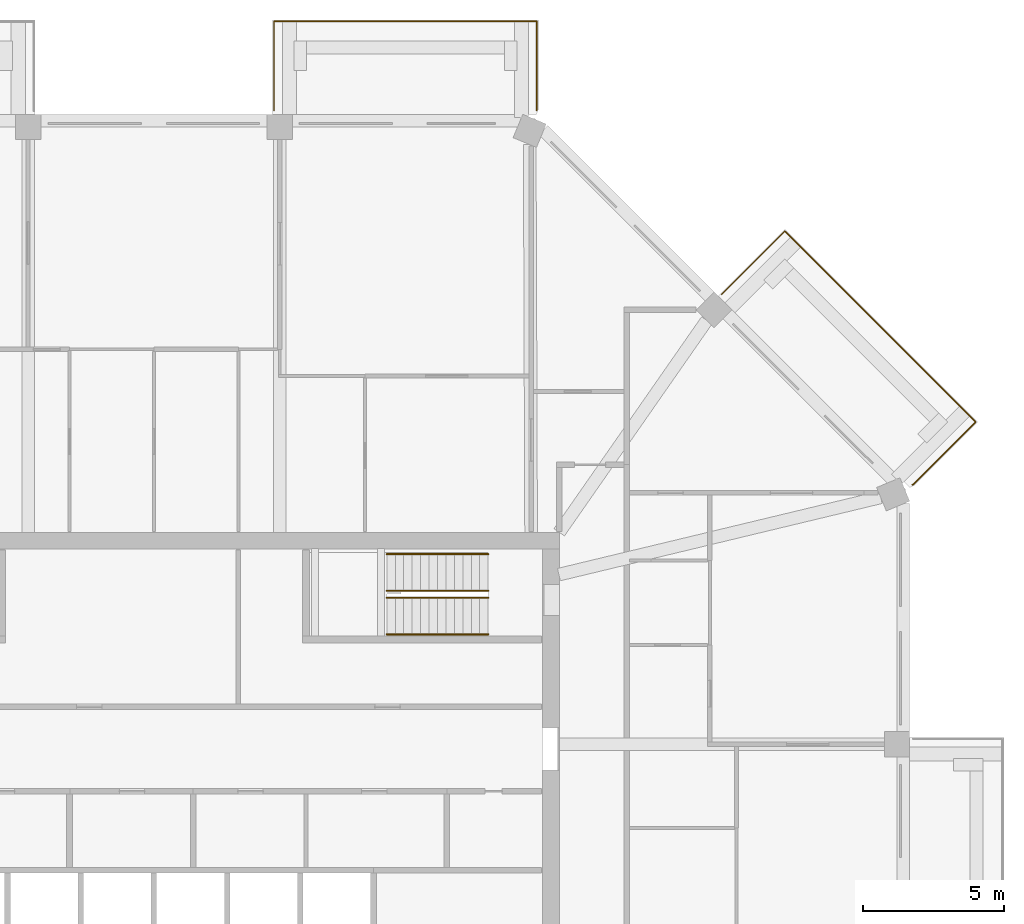
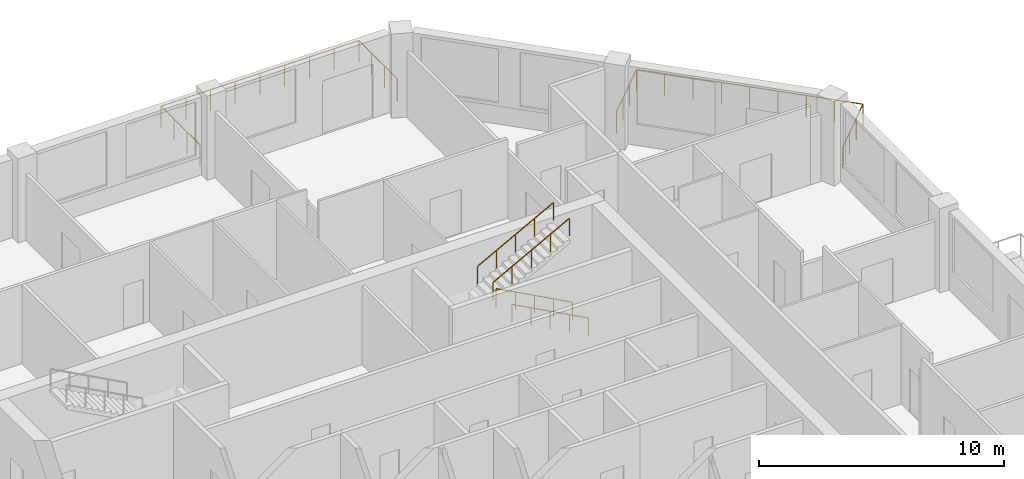
# One storey, part 12 of 12: 6 railings.
"""IFC4 building model written with IfcOpenShell, lengths in metres."""

from ifc_helpers import new_model, si_unit, direction, frame, origin, origin_2d, place, context, subcontext, project, spatial, circle, extrude, material, constituent, constituent_set, type_object, element, save


model = new_model("IFC4")

# Units and contexts
model_context = context("Model", 3, precision=1e-05, world=origin(), true_north=direction((0.0, 1.0)))
body_context = subcontext(model_context, "Body", "Model", "MODEL_VIEW")
ifc_project = project(units=[si_unit("LENGTHUNIT", "METRE"), si_unit("AREAUNIT", "SQUARE_METRE"), si_unit("VOLUMEUNIT", "CUBIC_METRE"), si_unit("PLANEANGLEUNIT", "RADIAN"), si_unit("MASSUNIT", "GRAM", prefix="KILO")], contexts=[model_context])

# Site, building, storey
site_placement = place(None, origin())
site = spatial("IfcSite", under=ifc_project, at=site_placement, CompositionType="ELEMENT")
building_placement = place(site_placement, origin())
building = spatial("IfcBuilding", under=site, at=building_placement, Name="Msitu Wima Residences", CompositionType="ELEMENT")
storey_placement = place(building_placement, frame((0.0, 0.0, 222.300048828125)))
storey = spatial("IfcBuildingStorey", under=building, at=storey_placement, Name="L51", CompositionType="ELEMENT", Elevation=222.300048828125)

# Railings
ifc_material_1 = material(Name="Steel S355", Category="steel")
ifc_constituent_1 = constituent(ifc_material_1, Name="Steel S355")
ifc_material_2 = material(Name="Weathering patina")
ifc_constituent_2 = constituent(ifc_material_2, Name="Weathering patina")
ifc_constituent_set_1 = constituent_set(constituents=[ifc_constituent_1, ifc_constituent_2], Name="Steel S355")
railing_type_1 = type_object("IfcRailingType", Name="Balcony guard GR1100", PredefinedType="GUARDRAIL", material=ifc_constituent_set_1)
railing_1_placement = place(storey_placement, frame((20.171630859375, 20.45458984375, 0.0)))
element("IfcRailing", 1, at=railing_1_placement, inside=storey, type_object=railing_type_1, Name="Balcony guard NE0 L51", PredefinedType="GUARDRAIL", context=body_context, shape_type="SweptSolid", body=[
    extrude(circle(Radius=0.02392578125, at=origin_2d()), frame((0.0, 0.0, 1.076171875), z_axis=(0.707106781187, 0.707106781187, 0.0), x_axis=(-0.707106781187, 0.707106781187, 0.0)), (0.0, 0.0, 1.0), 3.169921875),
    extrude(circle(Radius=0.02392578125, at=origin_2d()), frame((2.241455078125, 2.241455078125, 1.076171875), z_axis=(0.707106781187, -0.707106781187, 0.0), x_axis=(0.707106781187, 0.707106781187, 0.0)), (0.0, 0.0, 1.0), 9.58837890625),
    extrude(circle(Radius=0.02392578125, at=origin_2d()), frame((9.021484375, -4.53857421875, 1.076171875), z_axis=(-0.707106781187, -0.707106781187, 0.0), x_axis=(0.707106781187, -0.707106781187, 0.0)), (0.0, 0.0, 1.0), 3.136474609375),
    extrude(circle(Radius=0.02392578125, at=origin_2d()), frame((6.8037109375, -6.75634765625, 1.076171875), z_axis=(-0.92426142649, -0.38176015442, 0.0), x_axis=(0.38176015442, -0.92426142649, 0.0)), (0.0, 0.0, 1.0), 0.036376953125),
    extrude(circle(Radius=0.02099609375, at=origin_2d()), origin(), (0.0, 0.0, 1.0), 1.052001953125),
    extrude(circle(Radius=0.02099609375, at=origin_2d()), frame((0.7470703125, 0.7470703125, 0.0)), (0.0, 0.0, 1.0), 1.052001953125),
    extrude(circle(Radius=0.02099609375, at=origin_2d()), frame((1.494384765625, 1.494384765625, 0.0)), (0.0, 0.0, 1.0), 1.052001953125),
    extrude(circle(Radius=0.02099609375, at=origin_2d()), frame((2.241455078125, 2.241455078125, 0.0)), (0.0, 0.0, 1.0), 1.052001953125),
    extrude(circle(Radius=0.02099609375, at=origin_2d()), frame((3.0888671875, 1.39404296875, 0.0)), (0.0, 0.0, 1.0), 1.052001953125),
    extrude(circle(Radius=0.02099609375, at=origin_2d()), frame((3.9365234375, 0.54638671875, 0.0)), (0.0, 0.0, 1.0), 1.052001953125),
    extrude(circle(Radius=0.02099609375, at=origin_2d()), frame((4.783935546875, -0.301025390625, 0.0)), (0.0, 0.0, 1.0), 1.052001953125),
    extrude(circle(Radius=0.02099609375, at=origin_2d()), frame((5.63134765625, -1.1484375, 0.0)), (0.0, 0.0, 1.0), 1.052001953125),
    extrude(circle(Radius=0.02099609375, at=origin_2d()), frame((6.47900390625, -1.99609375, 0.0)), (0.0, 0.0, 1.0), 1.052001953125),
    extrude(circle(Radius=0.02099609375, at=origin_2d()), frame((7.326416015625, -2.843505859375, 0.0)), (0.0, 0.0, 1.0), 1.052001953125),
    extrude(circle(Radius=0.02099609375, at=origin_2d()), frame((8.174072265625, -3.691162109375, 0.0)), (0.0, 0.0, 1.0), 1.052001953125),
    extrude(circle(Radius=0.02099609375, at=origin_2d()), frame((9.021484375, -4.53857421875, 0.0)), (0.0, 0.0, 1.0), 1.052001953125),
    extrude(circle(Radius=0.02099609375, at=origin_2d()), frame((8.2822265625, -5.27783203125, 0.0)), (0.0, 0.0, 1.0), 1.052001953125),
    extrude(circle(Radius=0.02099609375, at=origin_2d()), frame((7.54296875, -6.01708984375, 0.0)), (0.0, 0.0, 1.0), 1.052001953125),
    extrude(circle(Radius=0.02099609375, at=origin_2d()), frame((6.8037109375, -6.75634765625, 0.0)), (0.0, 0.0, 1.0), 1.052001953125),
    extrude(circle(Radius=0.02099609375, at=origin_2d()), frame((6.77001953125, -6.770263671875, 0.0)), (0.0, 0.0, 1.0), 1.052001953125),
])
railing_2_placement = place(storey_placement, frame((4.2685546875, 26.97998046875, 0.0)))
element("IfcRailing", 2, at=railing_2_placement, inside=storey, type_object=railing_type_1, Name="Balcony guard N0 L51", PredefinedType="GUARDRAIL", context=body_context, shape_type="SweptSolid", body=[
    extrude(circle(Radius=0.02392578125, at=origin_2d()), frame((0.0, 0.0, 1.076171875), z_axis=(0.0, 1.0, 0.0), x_axis=(-1.0, 0.0, 0.0)), (0.0, 0.0, 1.0), 3.169921875),
    extrude(circle(Radius=0.02392578125, at=origin_2d()), frame((0.0, 3.169921875, 1.076171875), z_axis=(1.0, 0.0, 0.0), x_axis=(0.0, 1.0, 0.0)), (0.0, 0.0, 1.0), 9.33740234375),
    extrude(circle(Radius=0.02392578125, at=origin_2d()), frame((9.33740234375, 3.169921875, 1.076171875), z_axis=(0.0, -1.0, 0.0), x_axis=(1.0, 0.0, 0.0)), (0.0, 0.0, 1.0), 3.136474609375),
    extrude(circle(Radius=0.02392578125, at=origin_2d()), frame((9.33740234375, 0.033447265625, 1.076171875), z_axis=(-0.384136806859, -0.923276184907, 0.0), x_axis=(0.923276184907, -0.384136806859, 0.0)), (0.0, 0.0, 1.0), 0.0361328125),
    extrude(circle(Radius=0.02099609375, at=origin_2d()), origin(), (0.0, 0.0, 1.0), 1.052001953125),
    extrude(circle(Radius=0.02099609375, at=origin_2d()), frame((0.0, 1.056640625, 0.0)), (0.0, 0.0, 1.0), 1.052001953125),
    extrude(circle(Radius=0.02099609375, at=origin_2d()), frame((0.0, 2.11328125, 0.0)), (0.0, 0.0, 1.0), 1.052001953125),
    extrude(circle(Radius=0.02099609375, at=origin_2d()), frame((0.0, 3.169921875, 0.0)), (0.0, 0.0, 1.0), 1.052001953125),
    extrude(circle(Radius=0.02099609375, at=origin_2d()), frame((1.167236328125, 3.169921875, 0.0)), (0.0, 0.0, 1.0), 1.052001953125),
    extrude(circle(Radius=0.02099609375, at=origin_2d()), frame((2.33447265625, 3.169921875, 0.0)), (0.0, 0.0, 1.0), 1.052001953125),
    extrude(circle(Radius=0.02099609375, at=origin_2d()), frame((3.50146484375, 3.169921875, 0.0)), (0.0, 0.0, 1.0), 1.052001953125),
    extrude(circle(Radius=0.02099609375, at=origin_2d()), frame((4.668701171875, 3.169921875, 0.0)), (0.0, 0.0, 1.0), 1.052001953125),
    extrude(circle(Radius=0.02099609375, at=origin_2d()), frame((5.8359375, 3.169921875, 0.0)), (0.0, 0.0, 1.0), 1.052001953125),
    extrude(circle(Radius=0.02099609375, at=origin_2d()), frame((7.0029296875, 3.169921875, 0.0)), (0.0, 0.0, 1.0), 1.052001953125),
    extrude(circle(Radius=0.02099609375, at=origin_2d()), frame((8.170166015625, 3.169921875, 0.0)), (0.0, 0.0, 1.0), 1.052001953125),
    extrude(circle(Radius=0.02099609375, at=origin_2d()), frame((9.33740234375, 3.169921875, 0.0)), (0.0, 0.0, 1.0), 1.052001953125),
    extrude(circle(Radius=0.02099609375, at=origin_2d()), frame((9.33740234375, 2.12451171875, 0.0)), (0.0, 0.0, 1.0), 1.052001953125),
    extrude(circle(Radius=0.02099609375, at=origin_2d()), frame((9.33740234375, 1.078857421875, 0.0)), (0.0, 0.0, 1.0), 1.052001953125),
    extrude(circle(Radius=0.02099609375, at=origin_2d()), frame((9.33740234375, 0.033447265625, 0.0)), (0.0, 0.0, 1.0), 1.052001953125),
    extrude(circle(Radius=0.02099609375, at=origin_2d()), frame((9.323486328125, 0.0, 0.0)), (0.0, 0.0, 1.0), 1.052001953125),
])
ifc_constituent_3 = constituent(ifc_material_1, Name="Steel S355")
ifc_material_3 = material(Name="Black powder coating")
ifc_constituent_4 = constituent(ifc_material_3, Name="Black powder coating")
ifc_constituent_set_2 = constituent_set(constituents=[ifc_constituent_3, ifc_constituent_4], Name="Steel S355")
railing_type_2 = type_object("IfcRailingType", Name="Stair handrail HR1", PredefinedType="HANDRAIL", material=ifc_constituent_set_2)
for number, where, name in (
    (3, (11.875, 8.375, 0.161376953125), "Stair 3 handrail"),
    (4, (11.875, 9.675048828125, 0.161376953125), "Stair 3 handrail"),
):
    element("IfcRailing", number, at=place(storey_placement, frame(where)), inside=storey, type_object=railing_type_2, Name=name, PredefinedType="HANDRAIL", context=body_context, shape_type="SweptSolid", body=[
        extrude(circle(Radius=0.02392578125, at=origin_2d()), frame((0.0, 0.0, 0.8759765625), z_axis=(-0.880474934443, 0.0, 0.474092701714), x_axis=(0.0, -1.0, 0.0)), (0.0, 0.0, 1.0), 4.0888671875),
        extrude(circle(Radius=0.02099609375, at=origin_2d()), origin(), (0.0, 0.0, 1.0), 0.851806640625),
        extrude(circle(Radius=0.02099609375, at=origin_2d()), frame((-0.89990234375, 0.0, 0.484619140625)), (0.0, 0.0, 1.0), 0.851806640625),
        extrude(circle(Radius=0.02099609375, at=origin_2d()), frame((-1.800048828125, 0.0, 0.96923828125)), (0.0, 0.0, 1.0), 0.851806640625),
        extrude(circle(Radius=0.02099609375, at=origin_2d()), frame((-2.7001953125, 0.0, 1.453857421875)), (0.0, 0.0, 1.0), 0.851806640625),
        extrude(circle(Radius=0.02099609375, at=origin_2d()), frame((-3.60009765625, 0.0, 1.9384765625)), (0.0, 0.0, 1.0), 0.851806640625),
    ])
for number, where, name in (
    (5, (8.27490234375, 9.925048828125, 2.261474609375), "Stair 3 handrail"),
    (6, (8.27490234375, 11.22509765625, 2.261474609375), "Stair 3 handrail"),
):
    element("IfcRailing", number, at=place(storey_placement, frame(where)), inside=storey, type_object=railing_type_2, Name=name, PredefinedType="HANDRAIL", context=body_context, shape_type="SweptSolid", body=[
        extrude(circle(Radius=0.02392578125, at=origin_2d()), frame((0.0, 0.0, 0.8759765625), z_axis=(0.880474934443, 0.0, 0.474092701714), x_axis=(0.0, 1.0, 0.0)), (0.0, 0.0, 1.0), 4.0888671875),
        extrude(circle(Radius=0.02099609375, at=origin_2d()), origin(), (0.0, 0.0, 1.0), 0.851806640625),
        extrude(circle(Radius=0.02099609375, at=origin_2d()), frame((0.89990234375, 0.0, 0.484619140625)), (0.0, 0.0, 1.0), 0.851806640625),
        extrude(circle(Radius=0.02099609375, at=origin_2d()), frame((1.800048828125, 0.0, 0.96923828125)), (0.0, 0.0, 1.0), 0.851806640625),
        extrude(circle(Radius=0.02099609375, at=origin_2d()), frame((2.7001953125, 0.0, 1.453857421875)), (0.0, 0.0, 1.0), 0.851806640625),
        extrude(circle(Radius=0.02099609375, at=origin_2d()), frame((3.60009765625, 0.0, 1.9384765625)), (0.0, 0.0, 1.0), 0.851806640625),
    ])

save(model, "model.ifc")
